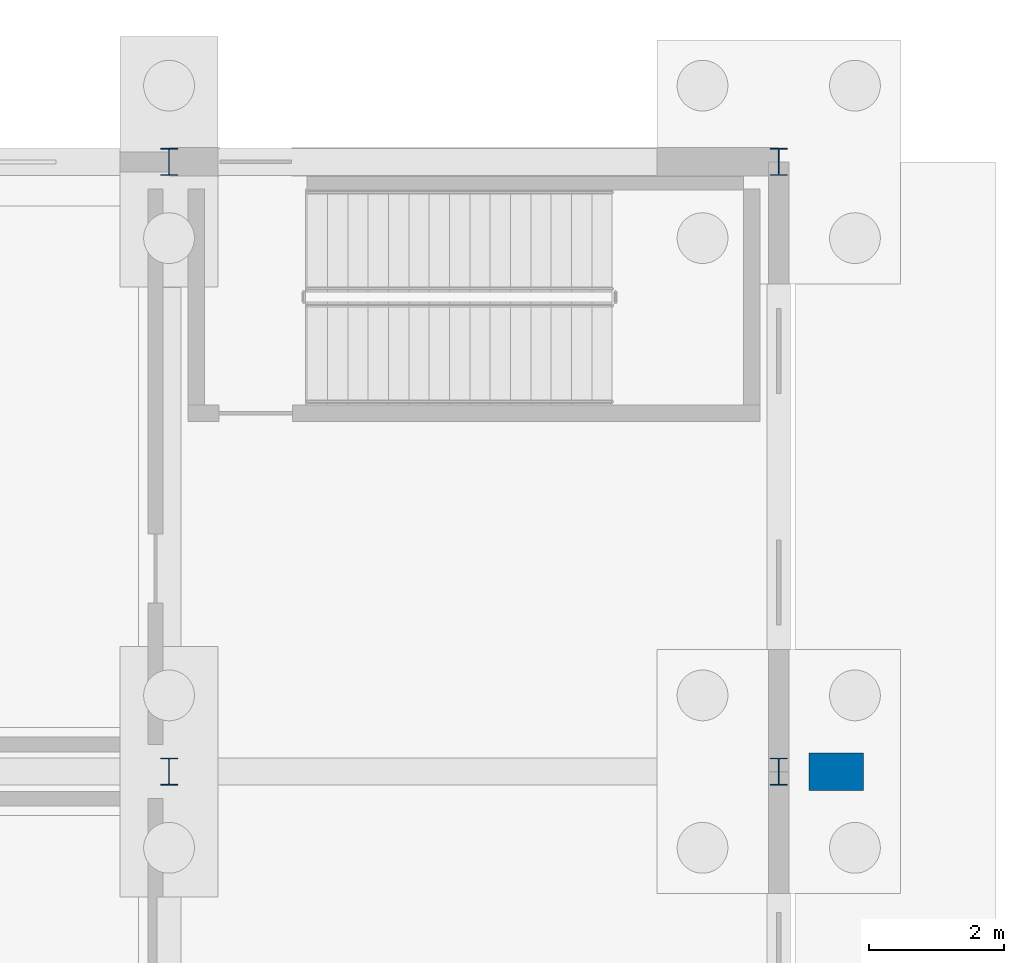
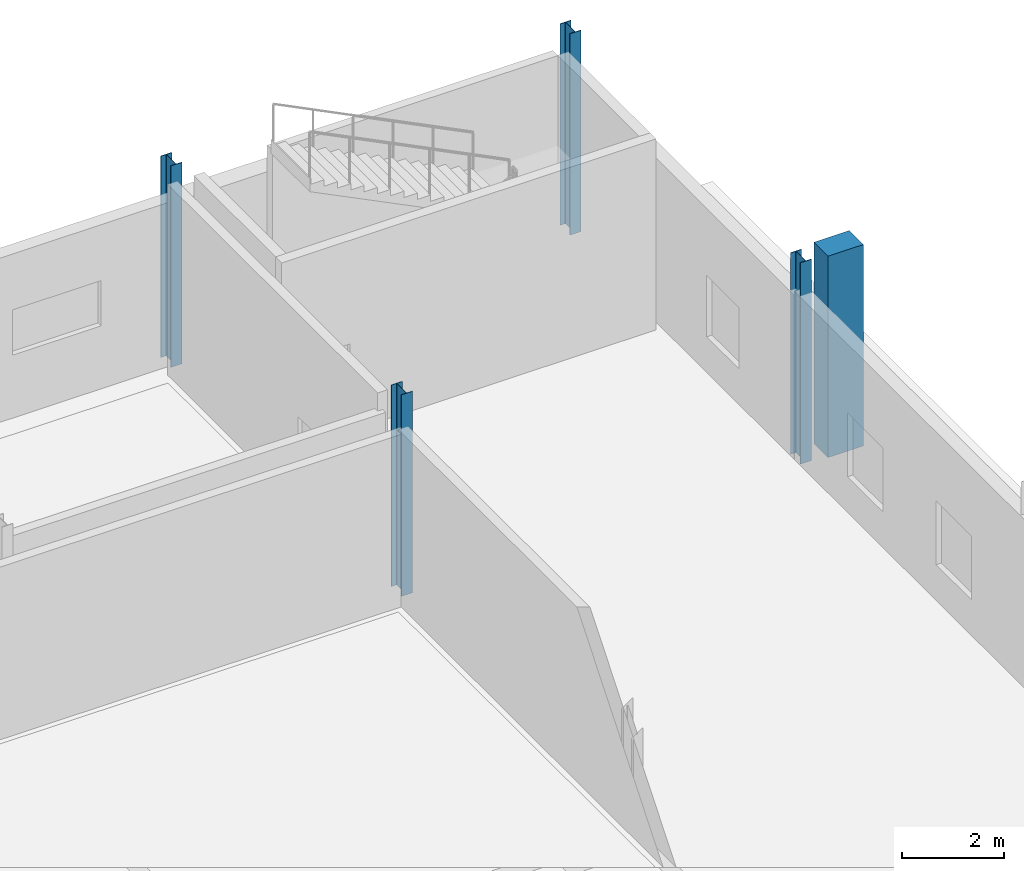
# One storey, part 51 of 112: 5 columns.
"""IFC4 building model written with IfcOpenShell, lengths in metres."""

from ifc_helpers import new_model, si_unit, direction, frame, origin, origin_2d, place, context, subcontext, project, spatial, rectangle, i_section, extrude, material, material_profile, profile_set, type_object, element, save


model = new_model("IFC4")

# Units and contexts
model_context = context("Model", 3, precision=1e-05, world=origin(), true_north=direction((0.0, 1.0)))
body_context = subcontext(model_context, "Body", "Model", "MODEL_VIEW")
ifc_project = project(units=[si_unit("LENGTHUNIT", "METRE"), si_unit("AREAUNIT", "SQUARE_METRE"), si_unit("VOLUMEUNIT", "CUBIC_METRE"), si_unit("PLANEANGLEUNIT", "RADIAN"), si_unit("MASSUNIT", "GRAM", prefix="KILO")], contexts=[model_context])

# Site, building, storey
site_placement = place(None, origin())
site = spatial("IfcSite", under=ifc_project, at=site_placement, CompositionType="ELEMENT")
building_placement = place(site_placement, origin())
building = spatial("IfcBuilding", under=site, at=building_placement, Name="Tharagai Park Tramway Depot", CompositionType="ELEMENT")
storey_placement = place(building_placement, origin())
storey = spatial("IfcBuildingStorey", under=building, at=storey_placement, Name="L00", CompositionType="ELEMENT", Elevation=0.0)

# Columns
ifc_material_1 = material(Name="Steel E350", Category="steel")
ifc_material_profile_1 = material_profile(ifc_material_1, i_section(OverallWidth=0.25, OverallDepth=0.39990234375, WebThickness=0.010498046875, FlangeThickness=0.0126953125, FilletRadius=0.013916015625, at=origin_2d()), Name="ISHB 400")
ifc_profile_set_1 = profile_set([ifc_material_profile_1], Name="Steel E350")
column_type_1 = type_object("IfcColumnType", Name="CL-06", PredefinedType="COLUMN", material=ifc_profile_set_1)
for number, where, z_axis, x_axis, name in (
    (1, (207.0, 126.0, 0.0), (0.0, 0.0, 1.0), (1.0, 0.0, 0.0), "L00 Structural Column CL-06 (207,126)"),
    (2, (207.0, 135.0, 0.0), (0.0, 0.0, 1.0), (1.0, 0.0, 0.0), "L00 Structural Column CL-06 (207,135)"),
    (3, (216.0, 126.0, 0.0), (0.0, 0.0, 1.0), (1.0, 0.0, 0.0), "L00 Structural Column CL-06 (216,126)"),
    (4, (216.0, 135.0, 0.0), (0.0, 0.0, 1.0), (1.0, 0.0, 0.0), "L00 Structural Column CL-06 (216,135)"),
):
    element("IfcColumn", number, at=place(storey_placement, frame(where, z_axis=z_axis, x_axis=x_axis)), inside=storey, type_object=column_type_1, Name=name, PredefinedType="COLUMN", context=body_context, shape_type="SweptSolid", body=[
        extrude(i_section(OverallWidth=0.25, OverallDepth=0.39990234375, WebThickness=0.010498046875, FlangeThickness=0.0126953125, FilletRadius=0.013916015625, at=origin_2d()), origin(), (0.0, 0.0, 1.0), 4.800048828125),
    ])
ifc_material_2 = material(Name="Concrete M40", Category="concrete")
ifc_material_profile_2 = material_profile(ifc_material_2, rectangle(XDim=0.550048828125, YDim=0.800048828125, at=origin_2d()), Name="RC 550x800")
ifc_profile_set_2 = profile_set([ifc_material_profile_2], Name="Concrete M40")
column_type_2 = type_object("IfcColumnType", Name="PL-02", PredefinedType="PILASTER", material=ifc_profile_set_2)
column_placement = place(storey_placement, frame((216.85009765625, 126.0, 0.0), z_axis=(0.0, 0.0, 1.0), x_axis=(0.0, 1.0, 0.0)))
element("IfcColumn", 5, at=column_placement, inside=storey, type_object=column_type_2, Name="L00 Stepped Gothic Buttress PL-02 E-126", PredefinedType="PILASTER", context=body_context, shape_type="SweptSolid", body=[
    extrude(rectangle(XDim=0.550048828125, YDim=0.800048828125, at=origin_2d()), origin(), (0.0, 0.0, 1.0), 4.800048828125),
])

save(model, "model.ifc")
